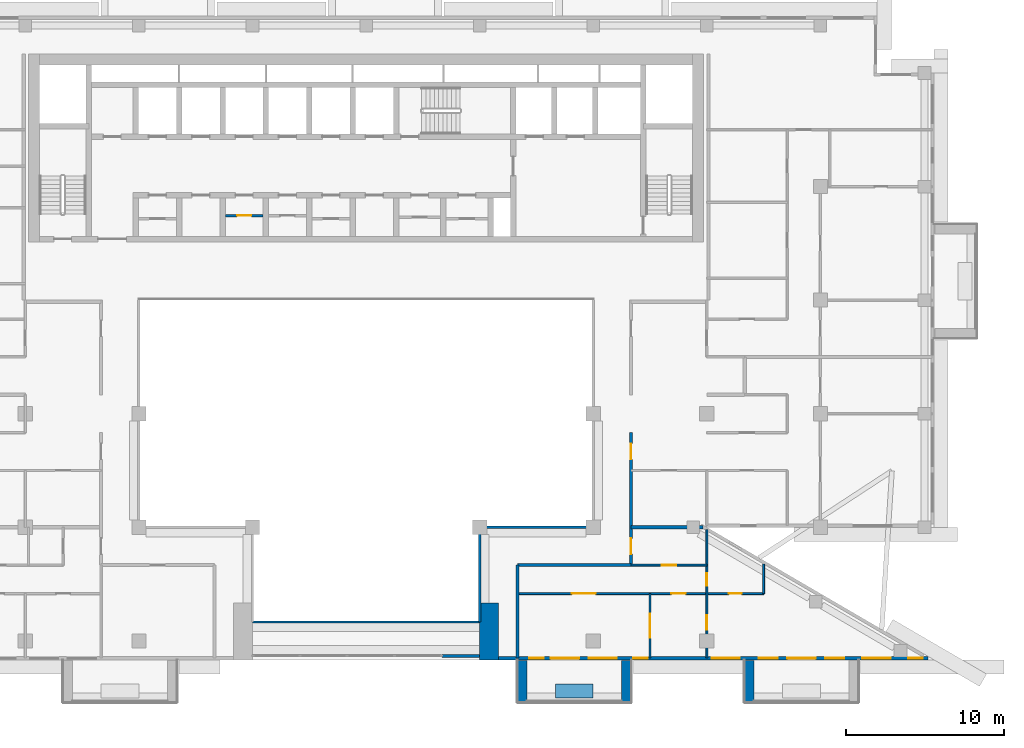
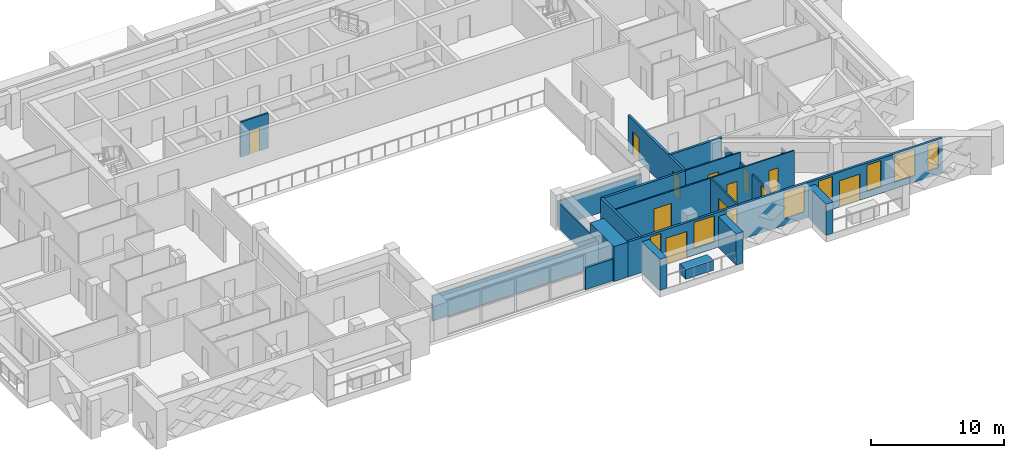
# One storey, part 8 of 20: 20 walls, 12 doors, 8 windows, 20 openings.
"""IFC4 building model written with IfcOpenShell, lengths in metres."""

from ifc_helpers import new_model, si_unit, direction, frame, frame_2d, origin, place, context, subcontext, project, spatial, rectangle, extrude, material, layer, layer_set, type_object, element, fill, save


model = new_model("IFC4")

# Units and contexts
model_context = context("Model", 3, precision=1e-05, world=origin(), true_north=direction((0.0, 1.0)))
body_context = subcontext(model_context, "Body", "Model", "MODEL_VIEW")
ifc_project = project(units=[si_unit("LENGTHUNIT", "METRE"), si_unit("AREAUNIT", "SQUARE_METRE"), si_unit("VOLUMEUNIT", "CUBIC_METRE"), si_unit("PLANEANGLEUNIT", "RADIAN"), si_unit("MASSUNIT", "GRAM", prefix="KILO")], contexts=[model_context])

# Site, building, storey
site_placement = place(None, origin())
site = spatial("IfcSite", under=ifc_project, at=site_placement, CompositionType="ELEMENT")
building_placement = place(site_placement, origin())
building = spatial("IfcBuilding", under=site, at=building_placement, Name="Saffron Iwan Residences", CompositionType="ELEMENT")
storey_placement = place(building_placement, frame((0.0, 0.0, 174.5)))
storey = spatial("IfcBuildingStorey", under=building, at=storey_placement, Name="L46", CompositionType="ELEMENT", Elevation=174.5)

# Walls
ifc_material_1 = material(Name="Fire-rated glazing", Category="glass")
ifc_layer_1 = layer(ifc_material_1, 0.14990234375)
ifc_layer_set_1 = layer_set([ifc_layer_1], Name="Fire-rated glazing")
wall_type_1 = type_object("IfcWallType", Name="Atrium glazed screen 150", PredefinedType="SOLIDWALL", material=ifc_layer_set_1)
wall_1_placement = place(storey_placement, frame((43.199951171875, 42.0, 0.0), z_axis=(0.0, 0.0, 1.0), x_axis=(1.0, 0.0, 0.0)))
element("IfcWall", 1, at=wall_1_placement, inside=storey, type_object=wall_type_1, Name="W-L46-SCREEN-h42-43.2", PredefinedType="SOLIDWALL", context=body_context, shape_type="SweptSolid", body=[
    extrude(rectangle(XDim=14.400146484375, YDim=0.14990234375, at=frame_2d((7.2001953125, 0.0))), origin(), (0.0, 0.0, 1.0), 2.300048828125),
])
wall_2_placement = place(storey_placement, frame((57.60009765625, 48.0, 0.0), z_axis=(0.0, 0.0, 1.0), x_axis=(1.0, 0.0, 0.0)))
element("IfcWall", 2, at=wall_2_placement, inside=storey, type_object=wall_type_1, Name="W-L46-SCREEN-h48-57.6", PredefinedType="SOLIDWALL", context=body_context, shape_type="SweptSolid", body=[
    extrude(rectangle(XDim=7.199951171875, YDim=0.14990234375, at=frame_2d((3.60009765625, 0.0))), origin(), (0.0, 0.0, 1.0), 2.300048828125),
])
wall_3_placement = place(storey_placement, frame((57.60009765625, 42.0, 0.0), z_axis=(0.0, 0.0, 1.0), x_axis=(0.0, 1.0, 0.0)))
element("IfcWall", 3, at=wall_3_placement, inside=storey, type_object=wall_type_1, Name="W-L46-SCREEN-v57.6-42", PredefinedType="SOLIDWALL", context=body_context, shape_type="SweptSolid", body=[
    extrude(rectangle(XDim=6.0, YDim=0.14990234375, at=frame_2d((3.0, 0.0))), origin(), (0.0, 0.0, 1.0), 2.300048828125),
])
ifc_material_2 = material(Name="Concrete C50/60 white painted", Category="concrete")
ifc_layer_2 = layer(ifc_material_2, 0.60009765625)
ifc_layer_set_2 = layer_set([ifc_layer_2], Name="Concrete C50/60 white painted")
wall_type_2 = type_object("IfcWallType", Name="BALCONY FIN 600", PredefinedType="SOLIDWALL", material=ifc_layer_set_2)
for number, where, z_axis, x_axis, name in (
    (4, (60.300048828125, 39.550048828125, 0.0), (0.0, 0.0, 1.0), (0.0, -1.0, 0.0), "Balcony fin L46 11-1a"),
    (5, (66.89990234375, 39.550048828125, 0.0), (0.0, 0.0, 1.0), (0.0, -1.0, 0.0), "Balcony fin L46 11-1b"),
    (6, (74.699951171875, 39.550048828125, 0.0), (0.0, 0.0, 1.0), (0.0, -1.0, 0.0), "Balcony fin L46 11-2a"),
):
    element("IfcWall", number, at=place(storey_placement, frame(where, z_axis=z_axis, x_axis=x_axis)), inside=storey, type_object=wall_type_2, Name=name, PredefinedType="SOLIDWALL", context=body_context, shape_type="SweptSolid", body=[
        extrude(rectangle(XDim=2.650146484375, YDim=0.60009765625, at=frame_2d((1.3251953125, 0.0))), origin(), (0.0, 0.0, 1.0), 2.85009765625),
    ])
ifc_material_3 = material(Name="Concrete C35/45 white painted", Category="concrete")
ifc_layer_3 = layer(ifc_material_3, 0.14990234375)
ifc_layer_set_3 = layer_set([ifc_layer_3], Name="Concrete C35/45 white painted")
wall_type_3 = type_object("IfcWallType", Name="BALCONY PLANTER", PredefinedType="SOLIDWALL", material=ifc_layer_set_3)
wall_4_placement = place(storey_placement, frame((62.39990234375, 37.625, 0.0), z_axis=(0.0, 0.0, 1.0), x_axis=(1.0, 0.0, 0.0)))
element("IfcWall", 7, at=wall_4_placement, inside=storey, type_object=wall_type_3, Name="PLANTER L46 11-1", PredefinedType="SOLIDWALL", context=body_context, shape_type="SweptSolid", body=[
    extrude(rectangle(XDim=2.400146484375, YDim=0.89990234375, at=frame_2d((1.2001953125, 0.0))), origin(), (0.0, 0.0, 1.0), 0.89990234375),
])

# Wall, opening, door
ifc_material_4 = material(Name="Fire-rated plasterboard partition")
ifc_layer_4 = layer(ifc_material_4, 0.14990234375)
ifc_layer_set_4 = layer_set([ifc_layer_4], Name="Fire-rated plasterboard partition")
wall_type_4 = type_object("IfcWallType", Name="Core partition 150", PredefinedType="PARTITIONING", material=ifc_layer_set_4)
wall_5_placement = place(storey_placement, frame((41.47509765625, 67.759521484375, 0.0), z_axis=(0.0, 0.0, 1.0), x_axis=(1.0, 0.0, 0.0)))
wall_5 = element("IfcWall", 8, at=wall_5_placement, inside=storey, type_object=wall_type_4, Name="Core partition P02", PredefinedType="PARTITIONING", context=body_context, shape_type="SweptSolid", body=[
    extrude(rectangle(XDim=2.39990234375, YDim=0.14990234375, at=frame_2d((1.199951171875, 0.0))), origin(), (0.0, 0.0, 1.0), 3.199951171875),
])
opening_1_placement = place(wall_5_placement, frame((0.75, 0.0, 0.0)))
opening_1 = element("IfcOpeningElement", 9, at=opening_1_placement, cuts=wall_5, Name="Opening SB", PredefinedType="OPENING", context=body_context, shape_type="SweptSolid", body=[
    extrude(rectangle(XDim=0.89990234375, YDim=2.10009765625, at=frame_2d((0.449951171875, 1.050048828125))), frame((0.0, 0.0849609375, 0.0), z_axis=(0.0, -1.0, 0.0), x_axis=(1.0, 0.0, 0.0)), (0.0, 0.0, 1.0), 0.169921875),
])
ifc_material_5 = material(Name="Steel fire door", Category="steel")
door_type_1 = type_object("IfcDoorType", Name="Store door 900", OperationType="NOTDEFINED", PredefinedType="DOOR", material=ifc_material_5)
door_1_placement = place(opening_1_placement, origin())
door_1 = element("IfcDoor", 10, at=door_1_placement, inside=storey, type_object=door_type_1, Name="Door Spares store", OperationType="SINGLE_SWING_LEFT", OverallHeight=2.10009765625, OverallWidth=0.89990234375, PredefinedType="DOOR", context=body_context, shape_type="SweptSolid", body=[
    extrude(rectangle(XDim=0.89990234375, YDim=2.10009765625, at=frame_2d((0.449951171875, 1.050048828125))), frame((0.0, 0.02490234375, 0.0), z_axis=(0.0, -1.0, 0.0), x_axis=(1.0, 0.0, 0.0)), (0.0, 0.0, 1.0), 0.050048828125),
])
fill(opening_1, door_1)

# Wall, openings, doors, windows
ifc_material_6 = material(Name="Concrete C40/50", Category="concrete")
ifc_layer_5 = layer(ifc_material_6, 0.199951171875)
ifc_layer_set_5 = layer_set([ifc_layer_5], Name="Concrete C40/50")
wall_type_5 = type_object("IfcWallType", Name="EXTERNAL WALL 200", PredefinedType="SOLIDWALL", material=ifc_layer_set_5)
wall_6_placement = place(storey_placement, frame((58.800048828125, 39.699951171875, 0.0), z_axis=(0.0, 0.0, 1.0), x_axis=(1.0, 0.0, 0.0)))
wall_6 = element("IfcWall", 11, at=wall_6_placement, inside=storey, type_object=wall_type_5, Name="External wall L46 F11.1", PredefinedType="SOLIDWALL", context=body_context, shape_type="SweptSolid", body=[
    extrude(rectangle(XDim=27.22998046875, YDim=0.199951171875, at=frame_2d((13.614990234375, 0.0))), origin(), (0.0, 0.0, 1.0), 3.199951171875),
])
opening_2_placement = place(wall_6_placement, frame((3.300048828125, 0.0, 0.0)))
opening_2 = element("IfcOpeningElement", 12, at=opening_2_placement, cuts=wall_6, Name="Opening BD1", PredefinedType="OPENING", context=body_context, shape_type="SweptSolid", body=[
    extrude(rectangle(XDim=1.800048828125, YDim=2.39990234375, at=frame_2d((0.89990234375, 1.199951171875))), frame((0.0, 0.10986328125, 0.0), z_axis=(0.0, -1.0, 0.0), x_axis=(1.0, 0.0, 0.0)), (0.0, 0.0, 1.0), 0.219970703125),
])
opening_3_placement = place(wall_6_placement, frame((18.300048828125, 0.0, 0.0)))
opening_3 = element("IfcOpeningElement", 13, at=opening_3_placement, cuts=wall_6, Name="Opening BD1", PredefinedType="OPENING", context=body_context, shape_type="SweptSolid", body=[
    extrude(rectangle(XDim=1.800048828125, YDim=2.39990234375, at=frame_2d((0.89990234375, 1.199951171875))), frame((0.0, 0.10986328125, 0.0), z_axis=(0.0, -1.0, 0.0), x_axis=(1.0, 0.0, 0.0)), (0.0, 0.0, 1.0), 0.219970703125),
])
opening_4_placement = place(wall_6_placement, frame((1.949951171875, 0.0, 0.60009765625)))
opening_4 = element("IfcOpeningElement", 14, at=opening_4_placement, cuts=wall_6, Name="Opening W10", PredefinedType="OPENING", context=body_context, shape_type="SweptSolid", body=[
    extrude(rectangle(XDim=0.89990234375, YDim=2.39990234375, at=frame_2d((0.449951171875, 1.199951171875))), frame((0.0, 0.10986328125, 0.0), z_axis=(0.0, -1.0, 0.0), x_axis=(1.0, 0.0, 0.0)), (0.0, 0.0, 1.0), 0.219970703125),
])
opening_5_placement = place(wall_6_placement, frame((5.699951171875, 0.0, 0.60009765625)))
opening_5 = element("IfcOpeningElement", 15, at=opening_5_placement, cuts=wall_6, Name="Opening W8", PredefinedType="OPENING", context=body_context, shape_type="SweptSolid", body=[
    extrude(rectangle(XDim=1.800048828125, YDim=2.39990234375, at=frame_2d((0.89990234375, 1.199951171875))), frame((0.0, 0.10986328125, 0.0), z_axis=(0.0, -1.0, 0.0), x_axis=(1.0, 0.0, 0.0)), (0.0, 0.0, 1.0), 0.219970703125),
])
opening_6_placement = place(wall_6_placement, frame((8.550048828125, 0.0, 0.60009765625)))
opening_6 = element("IfcOpeningElement", 16, at=opening_6_placement, cuts=wall_6, Name="Opening W10", PredefinedType="OPENING", context=body_context, shape_type="SweptSolid", body=[
    extrude(rectangle(XDim=0.89990234375, YDim=2.39990234375, at=frame_2d((0.449951171875, 1.199951171875))), frame((0.0, 0.10986328125, 0.0), z_axis=(0.0, -1.0, 0.0), x_axis=(1.0, 0.0, 0.0)), (0.0, 0.0, 1.0), 0.219970703125),
])
opening_7_placement = place(wall_6_placement, frame((13.5, 0.0, 0.60009765625)))
opening_7 = element("IfcOpeningElement", 17, at=opening_7_placement, cuts=wall_6, Name="Opening W8", PredefinedType="OPENING", context=body_context, shape_type="SweptSolid", body=[
    extrude(rectangle(XDim=1.800048828125, YDim=2.39990234375, at=frame_2d((0.89990234375, 1.199951171875))), frame((0.0, 0.10986328125, 0.0), z_axis=(0.0, -1.0, 0.0), x_axis=(1.0, 0.0, 0.0)), (0.0, 0.0, 1.0), 0.219970703125),
])
opening_8_placement = place(wall_6_placement, frame((16.5, 0.0, 0.60009765625)))
opening_8 = element("IfcOpeningElement", 18, at=opening_8_placement, cuts=wall_6, Name="Opening W3", PredefinedType="OPENING", context=body_context, shape_type="SweptSolid", body=[
    extrude(rectangle(XDim=1.199951171875, YDim=2.39990234375, at=frame_2d((0.60009765625, 1.199951171875))), frame((0.0, 0.10986328125, 0.0), z_axis=(0.0, -1.0, 0.0), x_axis=(1.0, 0.0, 0.0)), (0.0, 0.0, 1.0), 0.219970703125),
])
opening_9_placement = place(wall_6_placement, frame((20.699951171875, 0.0, 0.60009765625)))
opening_9 = element("IfcOpeningElement", 19, at=opening_9_placement, cuts=wall_6, Name="Opening W3", PredefinedType="OPENING", context=body_context, shape_type="SweptSolid", body=[
    extrude(rectangle(XDim=1.199951171875, YDim=2.39990234375, at=frame_2d((0.60009765625, 1.199951171875))), frame((0.0, 0.10986328125, 0.0), z_axis=(0.0, -1.0, 0.0), x_axis=(1.0, 0.0, 0.0)), (0.0, 0.0, 1.0), 0.219970703125),
])
opening_10_placement = place(wall_6_placement, frame((23.06298828125, 0.0, 0.60009765625)))
opening_10 = element("IfcOpeningElement", 20, at=opening_10_placement, cuts=wall_6, Name="Opening W8", PredefinedType="OPENING", context=body_context, shape_type="SweptSolid", body=[
    extrude(rectangle(XDim=1.800048828125, YDim=2.39990234375, at=frame_2d((0.89990234375, 1.199951171875))), frame((0.0, 0.10986328125, 0.0), z_axis=(0.0, -1.0, 0.0), x_axis=(1.0, 0.0, 0.0)), (0.0, 0.0, 1.0), 0.219970703125),
])
opening_11_placement = place(wall_6_placement, frame((25.978271484375, 0.0, 0.60009765625)))
opening_11 = element("IfcOpeningElement", 21, at=opening_11_placement, cuts=wall_6, Name="Opening W10", PredefinedType="OPENING", context=body_context, shape_type="SweptSolid", body=[
    extrude(rectangle(XDim=0.89990234375, YDim=2.39990234375, at=frame_2d((0.449951171875, 1.199951171875))), frame((0.0, 0.10986328125, 0.0), z_axis=(0.0, -1.0, 0.0), x_axis=(1.0, 0.0, 0.0)), (0.0, 0.0, 1.0), 0.219970703125),
])
ifc_material_7 = material(Name="Clear glass, laminated double glazed", Category="glass")
door_type_2 = type_object("IfcDoorType", Name="BALCONY DOOR 1800 x 2400", OperationType="DOUBLE_DOOR_SLIDING", PredefinedType="DOOR", material=ifc_material_7)
door_2_placement = place(opening_2_placement, origin())
door_2 = element("IfcDoor", 22, at=door_2_placement, inside=storey, type_object=door_type_2, Name="Balcony door L46 F11.0", OperationType="DOUBLE_DOOR_SLIDING", OverallHeight=2.39990234375, OverallWidth=1.800048828125, PredefinedType="DOOR", context=body_context, shape_type="SweptSolid", body=[
    extrude(rectangle(XDim=1.800048828125, YDim=2.39990234375, at=frame_2d((0.89990234375, 1.199951171875))), frame((0.0, 0.02490234375, 0.0), z_axis=(0.0, -1.0, 0.0), x_axis=(1.0, 0.0, 0.0)), (0.0, 0.0, 1.0), 0.050048828125),
])
fill(opening_2, door_2)
door_3_placement = place(opening_3_placement, origin())
door_3 = element("IfcDoor", 23, at=door_3_placement, inside=storey, type_object=door_type_2, Name="Balcony door L46 F11.1", OperationType="DOUBLE_DOOR_SLIDING", OverallHeight=2.39990234375, OverallWidth=1.800048828125, PredefinedType="DOOR", context=body_context, shape_type="SweptSolid", body=[
    extrude(rectangle(XDim=1.800048828125, YDim=2.39990234375, at=frame_2d((0.89990234375, 1.199951171875))), frame((0.0, 0.02490234375, 0.0), z_axis=(0.0, -1.0, 0.0), x_axis=(1.0, 0.0, 0.0)), (0.0, 0.0, 1.0), 0.050048828125),
])
fill(opening_3, door_3)
window_type_1 = type_object("IfcWindowType", Name="WINDOW 1200 x 2400", PartitioningType="SINGLE_PANEL", PredefinedType="WINDOW", material=ifc_material_7)
window_1_placement = place(opening_8_placement, origin())
window_1 = element("IfcWindow", 24, at=window_1_placement, inside=storey, type_object=window_type_1, Name="Window L46 F11.6", OverallHeight=2.39990234375, OverallWidth=1.199951171875, PartitioningType="SINGLE_PANEL", PredefinedType="WINDOW", context=body_context, shape_type="SweptSolid", body=[
    extrude(rectangle(XDim=1.199951171875, YDim=2.39990234375, at=frame_2d((0.60009765625, 1.199951171875))), frame((0.0, 0.030029296875, 0.0), z_axis=(0.0, -1.0, 0.0), x_axis=(1.0, 0.0, 0.0)), (0.0, 0.0, 1.0), 0.06005859375),
])
fill(opening_8, window_1)
window_2_placement = place(opening_9_placement, origin())
window_2 = element("IfcWindow", 25, at=window_2_placement, inside=storey, type_object=window_type_1, Name="Window L46 F11.7", OverallHeight=2.39990234375, OverallWidth=1.199951171875, PartitioningType="SINGLE_PANEL", PredefinedType="WINDOW", context=body_context, shape_type="SweptSolid", body=[
    extrude(rectangle(XDim=1.199951171875, YDim=2.39990234375, at=frame_2d((0.60009765625, 1.199951171875))), frame((0.0, 0.030029296875, 0.0), z_axis=(0.0, -1.0, 0.0), x_axis=(1.0, 0.0, 0.0)), (0.0, 0.0, 1.0), 0.06005859375),
])
fill(opening_9, window_2)
window_type_2 = type_object("IfcWindowType", Name="WINDOW 1800 x 2400", PartitioningType="DOUBLE_PANEL_VERTICAL", PredefinedType="WINDOW", material=ifc_material_7)
window_3_placement = place(opening_5_placement, origin())
window_3 = element("IfcWindow", 26, at=window_3_placement, inside=storey, type_object=window_type_2, Name="Window L46 F11.3", OverallHeight=2.39990234375, OverallWidth=1.800048828125, PartitioningType="DOUBLE_PANEL_VERTICAL", PredefinedType="WINDOW", context=body_context, shape_type="SweptSolid", body=[
    extrude(rectangle(XDim=1.800048828125, YDim=2.39990234375, at=frame_2d((0.89990234375, 1.199951171875))), frame((0.0, 0.030029296875, 0.0), z_axis=(0.0, -1.0, 0.0), x_axis=(1.0, 0.0, 0.0)), (0.0, 0.0, 1.0), 0.06005859375),
])
fill(opening_5, window_3)
window_4_placement = place(opening_7_placement, origin())
window_4 = element("IfcWindow", 27, at=window_4_placement, inside=storey, type_object=window_type_2, Name="Window L46 F11.5", OverallHeight=2.39990234375, OverallWidth=1.800048828125, PartitioningType="DOUBLE_PANEL_VERTICAL", PredefinedType="WINDOW", context=body_context, shape_type="SweptSolid", body=[
    extrude(rectangle(XDim=1.800048828125, YDim=2.39990234375, at=frame_2d((0.89990234375, 1.199951171875))), frame((0.0, 0.030029296875, 0.0), z_axis=(0.0, -1.0, 0.0), x_axis=(1.0, 0.0, 0.0)), (0.0, 0.0, 1.0), 0.06005859375),
])
fill(opening_7, window_4)
window_5_placement = place(opening_10_placement, origin())
window_5 = element("IfcWindow", 28, at=window_5_placement, inside=storey, type_object=window_type_2, Name="Window L46 F11.8", OverallHeight=2.39990234375, OverallWidth=1.800048828125, PartitioningType="DOUBLE_PANEL_VERTICAL", PredefinedType="WINDOW", context=body_context, shape_type="SweptSolid", body=[
    extrude(rectangle(XDim=1.800048828125, YDim=2.39990234375, at=frame_2d((0.89990234375, 1.199951171875))), frame((0.0, 0.030029296875, 0.0), z_axis=(0.0, -1.0, 0.0), x_axis=(1.0, 0.0, 0.0)), (0.0, 0.0, 1.0), 0.06005859375),
])
fill(opening_10, window_5)
window_type_3 = type_object("IfcWindowType", Name="WINDOW 900 x 2400", PartitioningType="SINGLE_PANEL", PredefinedType="WINDOW", material=ifc_material_7)
window_6_placement = place(opening_4_placement, origin())
window_6 = element("IfcWindow", 29, at=window_6_placement, inside=storey, type_object=window_type_3, Name="Window L46 F11.2", OverallHeight=2.39990234375, OverallWidth=0.89990234375, PartitioningType="SINGLE_PANEL", PredefinedType="WINDOW", context=body_context, shape_type="SweptSolid", body=[
    extrude(rectangle(XDim=0.89990234375, YDim=2.39990234375, at=frame_2d((0.449951171875, 1.199951171875))), frame((0.0, 0.030029296875, 0.0), z_axis=(0.0, -1.0, 0.0), x_axis=(1.0, 0.0, 0.0)), (0.0, 0.0, 1.0), 0.06005859375),
])
fill(opening_4, window_6)
window_7_placement = place(opening_6_placement, origin())
window_7 = element("IfcWindow", 30, at=window_7_placement, inside=storey, type_object=window_type_3, Name="Window L46 F11.4", OverallHeight=2.39990234375, OverallWidth=0.89990234375, PartitioningType="SINGLE_PANEL", PredefinedType="WINDOW", context=body_context, shape_type="SweptSolid", body=[
    extrude(rectangle(XDim=0.89990234375, YDim=2.39990234375, at=frame_2d((0.449951171875, 1.199951171875))), frame((0.0, 0.030029296875, 0.0), z_axis=(0.0, -1.0, 0.0), x_axis=(1.0, 0.0, 0.0)), (0.0, 0.0, 1.0), 0.06005859375),
])
fill(opening_6, window_7)
window_8_placement = place(opening_11_placement, origin())
window_8 = element("IfcWindow", 31, at=window_8_placement, inside=storey, type_object=window_type_3, Name="Window L46 F11.9", OverallHeight=2.39990234375, OverallWidth=0.89990234375, PartitioningType="SINGLE_PANEL", PredefinedType="WINDOW", context=body_context, shape_type="SweptSolid", body=[
    extrude(rectangle(XDim=0.89990234375, YDim=2.39990234375, at=frame_2d((0.449951171875, 1.199951171875))), frame((0.0, 0.030029296875, 0.0), z_axis=(0.0, -1.0, 0.0), x_axis=(1.0, 0.0, 0.0)), (0.0, 0.0, 1.0), 0.06005859375),
])
fill(opening_11, window_8)

# Walls
wall_7_placement = place(storey_placement, frame((55.199951171875, 39.85009765625, 0.0), z_axis=(0.0, 0.0, 1.0), x_axis=(1.0, 0.0, 0.0)))
element("IfcWall", 32, at=wall_7_placement, inside=storey, type_object=wall_type_5, Name="External wall infill CWB-L46-0", PredefinedType="SOLIDWALL", context=body_context, shape_type="SweptSolid", body=[
    extrude(rectangle(XDim=2.400146484375, YDim=0.199951171875, at=frame_2d((1.2001953125, 0.0))), origin(), (0.0, 0.0, 1.0), 2.0),
])
ifc_material_8 = material(Name="Fire-rated gypsum board wall")
ifc_layer_6 = layer(ifc_material_8, 0.199951171875)
ifc_layer_set_6 = layer_set([ifc_layer_6], Name="Fire-rated gypsum board wall")
wall_type_6 = type_object("IfcWallType", Name="Flat demising wall 200", PredefinedType="SOLIDWALL", material=ifc_layer_set_6)
wall_8_placement = place(storey_placement, frame((67.199951171875, 48.0, 0.0), z_axis=(0.0, 0.0, 1.0), x_axis=(1.0, 0.0, 0.0)))
element("IfcWall", 33, at=wall_8_placement, inside=storey, type_object=wall_type_6, Name="W-L46-DEMISE-h48-67.2", PredefinedType="SOLIDWALL", context=body_context, shape_type="SweptSolid", body=[
    extrude(rectangle(XDim=4.552001953125, YDim=0.199951171875, at=frame_2d((2.27587890625, 0.0))), origin(), (0.0, 0.0, 1.0), 3.199951171875),
])

# Wall, openings, doors
ifc_material_9 = material(Name="Gypsum board partition")
ifc_layer_7 = layer(ifc_material_9, 0.1201171875)
ifc_layer_set_7 = layer_set([ifc_layer_7], Name="Gypsum board partition")
wall_type_7 = type_object("IfcWallType", Name="Flat partition 120", PredefinedType="PARTITIONING", material=ifc_layer_set_7)
wall_9_placement = place(storey_placement, frame((60.0, 43.800048828125, 0.0), z_axis=(0.0, 0.0, 1.0), x_axis=(1.0, 0.0, 0.0)))
wall_9 = element("IfcWall", 34, at=wall_9_placement, inside=storey, type_object=wall_type_7, Name="W-L46-PART-h43.8-60", PredefinedType="PARTITIONING", context=body_context, shape_type="SweptSolid", body=[
    extrude(rectangle(XDim=15.60009765625, YDim=0.1201171875, at=frame_2d((7.800048828125, 0.0))), origin(), (0.0, 0.0, 1.0), 3.199951171875),
])
opening_12_placement = place(wall_9_placement, frame((9.75, 0.0, 0.0)))
opening_12 = element("IfcOpeningElement", 35, at=opening_12_placement, cuts=wall_9, Name="Opening FD2", PredefinedType="OPENING", context=body_context, shape_type="SweptSolid", body=[
    extrude(rectangle(XDim=0.89990234375, YDim=2.10009765625, at=frame_2d((0.449951171875, 1.050048828125))), frame((0.0, 0.070068359375, 0.0), z_axis=(0.0, -1.0, 0.0), x_axis=(1.0, 0.0, 0.0)), (0.0, 0.0, 1.0), 0.14013671875),
])
opening_13_placement = place(wall_9_placement, frame((3.449951171875, 0.0, 0.0)))
opening_13 = element("IfcOpeningElement", 36, at=opening_13_placement, cuts=wall_9, Name="Opening FD4", PredefinedType="OPENING", context=body_context, shape_type="SweptSolid", body=[
    extrude(rectangle(XDim=1.5, YDim=2.10009765625, at=frame_2d((0.75, 1.050048828125))), frame((0.0, 0.070068359375, 0.0), z_axis=(0.0, -1.0, 0.0), x_axis=(1.0, 0.0, 0.0)), (0.0, 0.0, 1.0), 0.14013671875),
])
opening_14_placement = place(wall_9_placement, frame((13.39990234375, 0.0, 0.0)))
opening_14 = element("IfcOpeningElement", 37, at=opening_14_placement, cuts=wall_9, Name="Opening FD3", PredefinedType="OPENING", context=body_context, shape_type="SweptSolid", body=[
    extrude(rectangle(XDim=0.800048828125, YDim=2.10009765625, at=frame_2d((0.39990234375, 1.050048828125))), frame((0.0, 0.070068359375, 0.0), z_axis=(0.0, -1.0, 0.0), x_axis=(1.0, 0.0, 0.0)), (0.0, 0.0, 1.0), 0.14013671875),
])
ifc_material_10 = material(Name="Timber door", Category="wood")
door_type_3 = type_object("IfcDoorType", Name="Bathroom door 800", OperationType="NOTDEFINED", PredefinedType="DOOR", material=ifc_material_10)
door_4_placement = place(opening_14_placement, origin())
door_4 = element("IfcDoor", 38, at=door_4_placement, inside=storey, type_object=door_type_3, Name="Door L46-046", OperationType="SINGLE_SWING_LEFT", OverallHeight=2.10009765625, OverallWidth=0.800048828125, PredefinedType="DOOR", context=body_context, shape_type="SweptSolid", body=[
    extrude(rectangle(XDim=0.800048828125, YDim=2.10009765625, at=frame_2d((0.39990234375, 1.050048828125))), frame((0.0, 0.02490234375, 0.0), z_axis=(0.0, -1.0, 0.0), x_axis=(1.0, 0.0, 0.0)), (0.0, 0.0, 1.0), 0.050048828125),
])
fill(opening_14, door_4)
door_type_4 = type_object("IfcDoorType", Name="Double door 1500", OperationType="NOTDEFINED", PredefinedType="DOOR", material=ifc_material_10)
door_5_placement = place(opening_13_placement, origin())
door_5 = element("IfcDoor", 39, at=door_5_placement, inside=storey, type_object=door_type_4, Name="Door L46-043", OperationType="SINGLE_SWING_LEFT", OverallHeight=2.10009765625, OverallWidth=1.5, PredefinedType="DOOR", context=body_context, shape_type="SweptSolid", body=[
    extrude(rectangle(XDim=1.5, YDim=2.10009765625, at=frame_2d((0.75, 1.050048828125))), frame((0.0, 0.02490234375, 0.0), z_axis=(0.0, -1.0, 0.0), x_axis=(1.0, 0.0, 0.0)), (0.0, 0.0, 1.0), 0.050048828125),
])
fill(opening_13, door_5)
door_type_5 = type_object("IfcDoorType", Name="Flat door 900", OperationType="NOTDEFINED", PredefinedType="DOOR", material=ifc_material_10)
door_6_placement = place(opening_12_placement, origin())
door_6 = element("IfcDoor", 40, at=door_6_placement, inside=storey, type_object=door_type_5, Name="Door L46-042", OperationType="SINGLE_SWING_RIGHT", OverallHeight=2.10009765625, OverallWidth=0.89990234375, PredefinedType="DOOR", context=body_context, shape_type="SweptSolid", body=[
    extrude(rectangle(XDim=0.89990234375, YDim=2.10009765625, at=frame_2d((0.449951171875, 1.050048828125))), frame((0.0, 0.02490234375, 0.0), z_axis=(0.0, -1.0, 0.0), x_axis=(1.0, 0.0, 0.0)), (0.0, 0.0, 1.0), 0.050048828125),
])
fill(opening_12, door_6)

# Wall, opening, door
wall_10_placement = place(storey_placement, frame((67.199951171875, 45.60009765625, 0.0), z_axis=(0.0, 0.0, 1.0), x_axis=(1.0, 0.0, 0.0)))
wall_10 = element("IfcWall", 41, at=wall_10_placement, inside=storey, type_object=wall_type_7, Name="W-L46-PART-h45.6-67.2", PredefinedType="PARTITIONING", context=body_context, shape_type="SweptSolid", body=[
    extrude(rectangle(XDim=4.800048828125, YDim=0.1201171875, at=frame_2d((2.39990234375, 0.0))), origin(), (0.0, 0.0, 1.0), 3.199951171875),
])
opening_15_placement = place(wall_10_placement, frame((1.949951171875, 0.0, 0.0)))
opening_15 = element("IfcOpeningElement", 42, at=opening_15_placement, cuts=wall_10, Name="Opening FD2", PredefinedType="OPENING", context=body_context, shape_type="SweptSolid", body=[
    extrude(rectangle(XDim=0.89990234375, YDim=2.10009765625, at=frame_2d((0.449951171875, 1.050048828125))), frame((0.0, 0.070068359375, 0.0), z_axis=(0.0, -1.0, 0.0), x_axis=(1.0, 0.0, 0.0)), (0.0, 0.0, 1.0), 0.14013671875),
])
door_7_placement = place(opening_15_placement, origin())
door_7 = element("IfcDoor", 43, at=door_7_placement, inside=storey, type_object=door_type_5, Name="Door L46-040", OperationType="SINGLE_SWING_LEFT", OverallHeight=2.10009765625, OverallWidth=0.89990234375, PredefinedType="DOOR", context=body_context, shape_type="SweptSolid", body=[
    extrude(rectangle(XDim=0.89990234375, YDim=2.10009765625, at=frame_2d((0.449951171875, 1.050048828125))), frame((0.0, 0.02490234375, 0.0), z_axis=(0.0, -1.0, 0.0), x_axis=(1.0, 0.0, 0.0)), (0.0, 0.0, 1.0), 0.050048828125),
])
fill(opening_15, door_7)

wall_11_placement = place(storey_placement, frame((68.39990234375, 39.72509765625, 0.0), z_axis=(0.0, 0.0, 1.0), x_axis=(0.0, 1.0, 0.0)))
wall_11 = element("IfcWall", 44, at=wall_11_placement, inside=storey, type_object=wall_type_7, Name="W-L46-PART-v68.4-39.725", PredefinedType="PARTITIONING", context=body_context, shape_type="SweptSolid", body=[
    extrude(rectangle(XDim=4.074951171875, YDim=0.1201171875, at=frame_2d((2.03759765625, 0.0))), origin(), (0.0, 0.0, 1.0), 3.199951171875),
])
opening_16_placement = place(wall_11_placement, frame((1.28759765625, 0.0, 0.0)))
opening_16 = element("IfcOpeningElement", 45, at=opening_16_placement, cuts=wall_11, Name="Opening FD4", PredefinedType="OPENING", context=body_context, shape_type="SweptSolid", body=[
    extrude(rectangle(XDim=1.5, YDim=2.10009765625, at=frame_2d((0.75, 1.050048828125))), frame((0.0, 0.070068359375, 0.0), z_axis=(0.0, -1.0, 0.0), x_axis=(1.0, 0.0, 0.0)), (0.0, 0.0, 1.0), 0.14013671875),
])
door_8_placement = place(opening_16_placement, origin())
door_8 = element("IfcDoor", 46, at=door_8_placement, inside=storey, type_object=door_type_4, Name="Door L46-039", OperationType="SINGLE_SWING_RIGHT", OverallHeight=2.10009765625, OverallWidth=1.5, PredefinedType="DOOR", context=body_context, shape_type="SweptSolid", body=[
    extrude(rectangle(XDim=1.5, YDim=2.10009765625, at=frame_2d((0.75, 1.050048828125))), frame((0.0, 0.02490234375, 0.0), z_axis=(0.0, -1.0, 0.0), x_axis=(1.0, 0.0, 0.0)), (0.0, 0.0, 1.0), 0.050048828125),
])
fill(opening_16, door_8)

# Wall, openings, doors
wall_12_placement = place(storey_placement, frame((72.0, 39.72509765625, 0.0), z_axis=(0.0, 0.0, 1.0), x_axis=(0.0, 1.0, 0.0)))
wall_12 = element("IfcWall", 47, at=wall_12_placement, inside=storey, type_object=wall_type_7, Name="W-L46-PART-v72-39.725", PredefinedType="PARTITIONING", context=body_context, shape_type="SweptSolid", body=[
    extrude(rectangle(XDim=8.1298828125, YDim=0.1201171875, at=frame_2d((4.06494140625, 0.0))), origin(), (0.0, 0.0, 1.0), 2.300048828125),
])
opening_17_placement = place(wall_12_placement, frame((1.78759765625, 0.0, 0.0)))
opening_17 = element("IfcOpeningElement", 48, at=opening_17_placement, cuts=wall_12, Name="Opening FD2", PredefinedType="OPENING", context=body_context, shape_type="SweptSolid", body=[
    extrude(rectangle(XDim=0.89990234375, YDim=2.10009765625, at=frame_2d((0.449951171875, 1.050048828125))), frame((0.0, 0.070068359375, 0.0), z_axis=(0.0, -1.0, 0.0), x_axis=(1.0, 0.0, 0.0)), (0.0, 0.0, 1.0), 0.14013671875),
])
opening_18_placement = place(wall_12_placement, frame((4.574951171875, 0.0, 0.0)))
opening_18 = element("IfcOpeningElement", 49, at=opening_18_placement, cuts=wall_12, Name="Opening FD3", PredefinedType="OPENING", context=body_context, shape_type="SweptSolid", body=[
    extrude(rectangle(XDim=0.800048828125, YDim=2.10009765625, at=frame_2d((0.39990234375, 1.050048828125))), frame((0.0, 0.070068359375, 0.0), z_axis=(0.0, -1.0, 0.0), x_axis=(1.0, 0.0, 0.0)), (0.0, 0.0, 1.0), 0.14013671875),
])
door_9_placement = place(opening_18_placement, origin())
door_9 = element("IfcDoor", 50, at=door_9_placement, inside=storey, type_object=door_type_3, Name="Door L46-045", OperationType="SINGLE_SWING_RIGHT", OverallHeight=2.10009765625, OverallWidth=0.800048828125, PredefinedType="DOOR", context=body_context, shape_type="SweptSolid", body=[
    extrude(rectangle(XDim=0.800048828125, YDim=2.10009765625, at=frame_2d((0.39990234375, 1.050048828125))), frame((0.0, 0.02490234375, 0.0), z_axis=(0.0, -1.0, 0.0), x_axis=(1.0, 0.0, 0.0)), (0.0, 0.0, 1.0), 0.050048828125),
])
fill(opening_18, door_9)
door_10_placement = place(opening_17_placement, origin())
door_10 = element("IfcDoor", 51, at=door_10_placement, inside=storey, type_object=door_type_5, Name="Door L46-044", OperationType="SINGLE_SWING_RIGHT", OverallHeight=2.10009765625, OverallWidth=0.89990234375, PredefinedType="DOOR", context=body_context, shape_type="SweptSolid", body=[
    extrude(rectangle(XDim=0.89990234375, YDim=2.10009765625, at=frame_2d((0.449951171875, 1.050048828125))), frame((0.0, 0.02490234375, 0.0), z_axis=(0.0, -1.0, 0.0), x_axis=(1.0, 0.0, 0.0)), (0.0, 0.0, 1.0), 0.050048828125),
])
fill(opening_17, door_10)

# Walls
wall_13_placement = place(storey_placement, frame((75.60009765625, 43.800048828125, 0.0), z_axis=(0.0, 0.0, 1.0), x_axis=(0.0, 1.0, 0.0)))
element("IfcWall", 52, at=wall_13_placement, inside=storey, type_object=wall_type_7, Name="W-L46-PART-v75.6-43.8", PredefinedType="PARTITIONING", context=body_context, shape_type="SweptSolid", body=[
    extrude(rectangle(XDim=1.868408203125, YDim=0.1201171875, at=frame_2d((0.93408203125, 0.0))), origin(), (0.0, 0.0, 1.0), 2.300048828125),
])
ifc_layer_8 = layer(ifc_material_8, 0.199951171875)
ifc_layer_set_8 = layer_set([ifc_layer_8], Name="Fire-rated gypsum board wall")
wall_type_8 = type_object("IfcWallType", Name="Gallery wall 200", PredefinedType="SOLIDWALL", material=ifc_layer_set_8)
wall_14_placement = place(storey_placement, frame((60.0, 45.60009765625, 0.0), z_axis=(0.0, 0.0, 1.0), x_axis=(1.0, 0.0, 0.0)))
element("IfcWall", 53, at=wall_14_placement, inside=storey, type_object=wall_type_8, Name="W-L46-CORR-h45.6-60", PredefinedType="SOLIDWALL", context=body_context, shape_type="SweptSolid", body=[
    extrude(rectangle(XDim=7.199951171875, YDim=0.199951171875, at=frame_2d((3.60009765625, 0.0))), origin(), (0.0, 0.0, 1.0), 3.199951171875),
])
wall_15_placement = place(storey_placement, frame((60.0, 39.72509765625, 0.0), z_axis=(0.0, 0.0, 1.0), x_axis=(0.0, 1.0, 0.0)))
element("IfcWall", 54, at=wall_15_placement, inside=storey, type_object=wall_type_8, Name="W-L46-CORR-v60-39.725", PredefinedType="SOLIDWALL", context=body_context, shape_type="SweptSolid", body=[
    extrude(rectangle(XDim=5.875, YDim=0.199951171875, at=frame_2d((2.9375, 0.0))), origin(), (0.0, 0.0, 1.0), 3.199951171875),
])

# Wall, openings, doors
wall_16_placement = place(storey_placement, frame((67.199951171875, 45.60009765625, 0.0), z_axis=(0.0, 0.0, 1.0), x_axis=(0.0, 1.0, 0.0)))
wall_16 = element("IfcWall", 55, at=wall_16_placement, inside=storey, type_object=wall_type_8, Name="W-L46-CORR-v67.2-45.6", PredefinedType="SOLIDWALL", context=body_context, shape_type="SweptSolid", body=[
    extrude(rectangle(XDim=8.39990234375, YDim=0.199951171875, at=frame_2d((4.199951171875, 0.0))), origin(), (0.0, 0.0, 1.0), 3.199951171875),
])
opening_19_placement = place(wall_16_placement, frame((6.699951171875, 0.0, 0.0)))
opening_19 = element("IfcOpeningElement", 56, at=opening_19_placement, cuts=wall_16, Name="Opening FD1", PredefinedType="OPENING", context=body_context, shape_type="SweptSolid", body=[
    extrude(rectangle(XDim=1.0, YDim=2.10009765625, at=frame_2d((0.5, 1.050048828125))), frame((0.0, 0.10986328125, 0.0), z_axis=(0.0, -1.0, 0.0), x_axis=(1.0, 0.0, 0.0)), (0.0, 0.0, 1.0), 0.219970703125),
])
opening_20_placement = place(wall_16_placement, frame((0.699951171875, 0.0, 0.0)))
opening_20 = element("IfcOpeningElement", 57, at=opening_20_placement, cuts=wall_16, Name="Opening FD5", PredefinedType="OPENING", context=body_context, shape_type="SweptSolid", body=[
    extrude(rectangle(XDim=1.0, YDim=2.10009765625, at=frame_2d((0.5, 1.050048828125))), frame((0.0, 0.10986328125, 0.0), z_axis=(0.0, -1.0, 0.0), x_axis=(1.0, 0.0, 0.0)), (0.0, 0.0, 1.0), 0.219970703125),
])
ifc_material_11 = material(Name="Fire-rated timber door", Category="wood")
door_type_6 = type_object("IfcDoorType", Name="FD30S flat entrance door 1000", OperationType="NOTDEFINED", PredefinedType="DOOR", material=ifc_material_11)
door_11_placement = place(opening_19_placement, origin())
door_11 = element("IfcDoor", 58, at=door_11_placement, inside=storey, type_object=door_type_6, Name="Door L46-014", OperationType="SINGLE_SWING_LEFT", OverallHeight=2.10009765625, OverallWidth=1.0, PredefinedType="DOOR", context=body_context, shape_type="SweptSolid", body=[
    extrude(rectangle(XDim=1.0, YDim=2.10009765625, at=frame_2d((0.5, 1.050048828125))), frame((0.0, 0.02490234375, 0.0), z_axis=(0.0, -1.0, 0.0), x_axis=(1.0, 0.0, 0.0)), (0.0, 0.0, 1.0), 0.050048828125),
])
fill(opening_19, door_11)
door_type_7 = type_object("IfcDoorType", Name="Lobby door 1000", OperationType="NOTDEFINED", PredefinedType="DOOR", material=ifc_material_11)
door_12_placement = place(opening_20_placement, origin())
door_12 = element("IfcDoor", 59, at=door_12_placement, inside=storey, type_object=door_type_7, Name="Door L46-041", OperationType="SINGLE_SWING_LEFT", OverallHeight=2.10009765625, OverallWidth=1.0, PredefinedType="DOOR", context=body_context, shape_type="SweptSolid", body=[
    extrude(rectangle(XDim=1.0, YDim=2.10009765625, at=frame_2d((0.5, 1.050048828125))), frame((0.0, 0.02490234375, 0.0), z_axis=(0.0, -1.0, 0.0), x_axis=(1.0, 0.0, 0.0)), (0.0, 0.0, 1.0), 0.050048828125),
])
fill(opening_20, door_12)

# Wall
ifc_material_12 = material(Name="Concrete C50/60", Category="concrete")
ifc_layer_9 = layer(ifc_material_12, 1.199951171875)
ifc_layer_set_9 = layer_set([ifc_layer_9], Name="Concrete C50/60")
wall_type_9 = type_object("IfcWallType", Name="WALL IWAN PIER 1200 C50/60 3200 HIGH", PredefinedType="SHEAR", material=ifc_layer_set_9)
wall_17_placement = place(storey_placement, frame((58.199951171875, 39.60009765625, 0.0), z_axis=(0.0, 0.0, 1.0), x_axis=(0.0, 1.0, 0.0)))
element("IfcWall", 60, at=wall_17_placement, inside=storey, type_object=wall_type_9, Name="IWAN PIER", PredefinedType="SHEAR", context=body_context, shape_type="SweptSolid", body=[
    extrude(rectangle(XDim=3.599853515625, YDim=1.199951171875, at=frame_2d((1.7998046875, 0.0))), origin(), (0.0, 0.0, 1.0), 3.199951171875),
])

save(model, "model.ifc")
